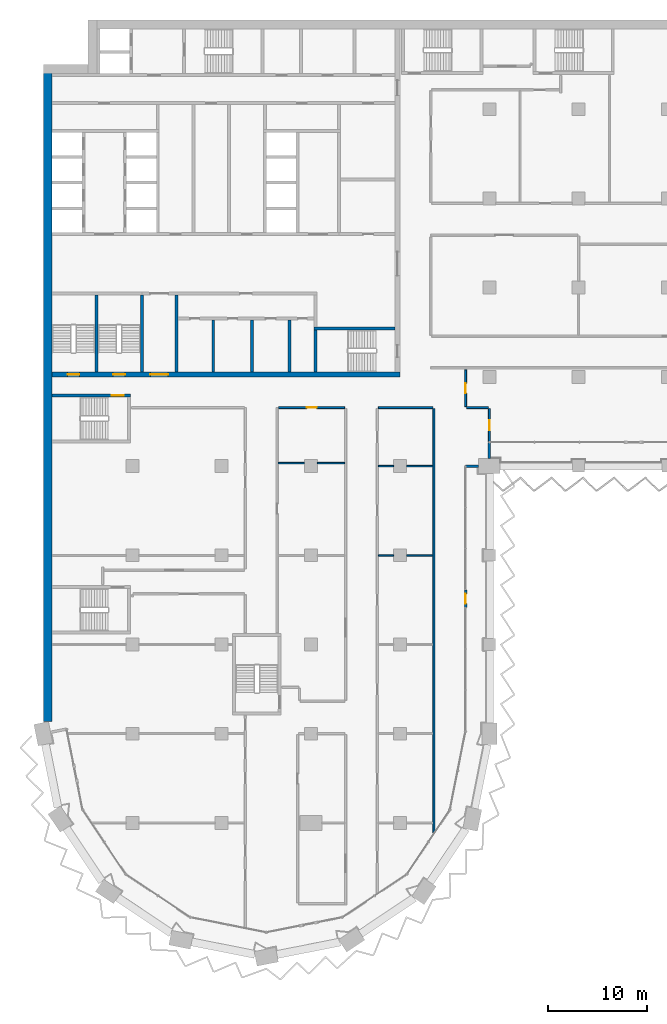
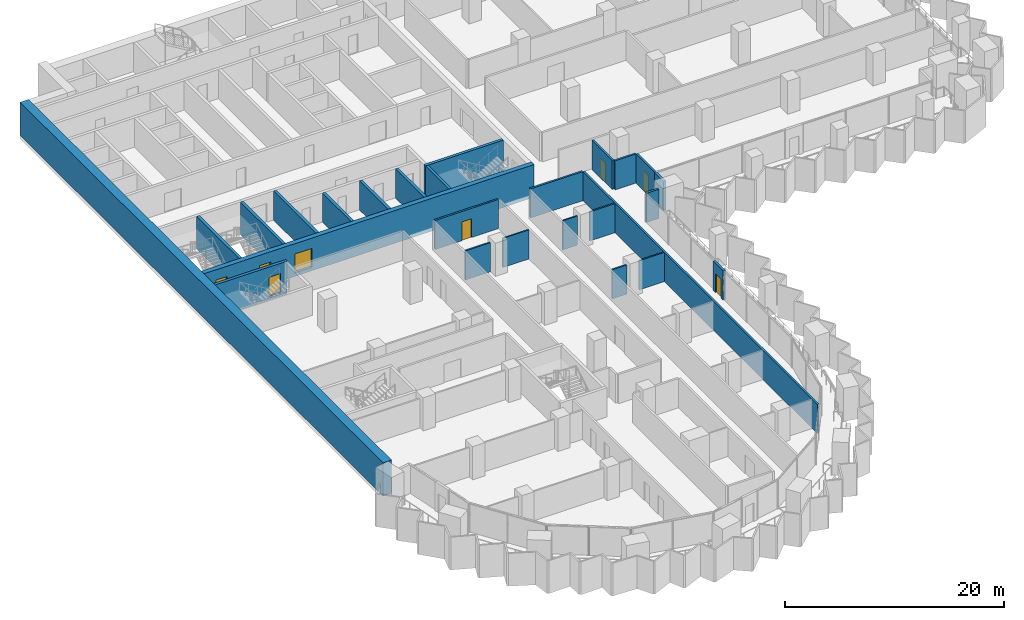
# One storey, part 11 of 23: 26 walls, 8 doors, 8 openings.
"""IFC4 building model written with IfcOpenShell, lengths in metres."""

from ifc_helpers import new_model, si_unit, direction, frame, frame_2d, origin, place, context, subcontext, project, spatial, rectangle, extrude, material, layer, layer_set, type_object, element, fill, save


model = new_model("IFC4")

# Units and contexts
model_context = context("Model", 3, precision=1e-05, world=origin(), true_north=direction((0.0, 1.0)))
body_context = subcontext(model_context, "Body", "Model", "MODEL_VIEW")
ifc_project = project(units=[si_unit("LENGTHUNIT", "METRE"), si_unit("AREAUNIT", "SQUARE_METRE"), si_unit("VOLUMEUNIT", "CUBIC_METRE"), si_unit("PLANEANGLEUNIT", "RADIAN"), si_unit("MASSUNIT", "GRAM", prefix="KILO")], contexts=[model_context])

# Site, building, storey
site_placement = place(None, origin())
site = spatial("IfcSite", under=ifc_project, at=site_placement, CompositionType="ELEMENT")
building_placement = place(site_placement, origin())
building = spatial("IfcBuilding", under=site, at=building_placement, Name="Hunhe Ridgeline Campus", CompositionType="ELEMENT")
storey_placement = place(building_placement, frame((0.0, 0.0, 125.5)))
storey = spatial("IfcBuildingStorey", under=building, at=storey_placement, Name="L31", CompositionType="ELEMENT", Elevation=125.5)

# Walls
ifc_material_1 = material(Name="Masonry concrete blockwork", Category="masonry")
ifc_layer_1 = layer(ifc_material_1, 0.300048828125)
ifc_layer_set_1 = layer_set([ifc_layer_1], Name="Core room partition 300 concrete block")
wall_type_1 = type_object("IfcWallType", Name="Core room partition 300 concrete block", PredefinedType="PARTITIONING", material=ifc_layer_set_1)
wall_1_placement = place(storey_placement, frame((13.449951171875, 63.5, 0.0), z_axis=(0.0, 0.0, 1.0), x_axis=(0.0, 1.0, 0.0)))
element("IfcWall", 1, at=wall_1_placement, inside=storey, type_object=wall_type_1, Name="L31 core partition 42", PredefinedType="PARTITIONING", context=body_context, shape_type="SweptSolid", body=[
    extrude(rectangle(XDim=7.75, YDim=0.300048828125, at=frame_2d((3.875, 0.0))), origin(), (0.0, 0.0, 1.0), 3.25),
])
for number, where, z_axis, x_axis, name in (
    (2, (17.14990234375, 63.5, 0.0), (0.0, 0.0, 1.0), (0.0, 1.0, 0.0), "L31 core partition 45"),
    (3, (21.050048828125, 63.5, 0.0), (0.0, 0.0, 1.0), (0.0, 1.0, 0.0), "L31 core partition 48"),
    (4, (24.85009765625, 63.5, 0.0), (0.0, 0.0, 1.0), (0.0, 1.0, 0.0), "L31 core partition 53"),
):
    element("IfcWall", number, at=place(storey_placement, frame(where, z_axis=z_axis, x_axis=x_axis)), inside=storey, type_object=wall_type_1, Name=name, PredefinedType="PARTITIONING", context=body_context, shape_type="SweptSolid", body=[
        extrude(rectangle(XDim=5.25, YDim=0.300048828125, at=frame_2d((2.625, 0.0))), origin(), (0.0, 0.0, 1.0), 3.25),
    ])

# Wall, openings, doors
ifc_material_2 = material(Name="Concrete C80", Category="concrete")
ifc_layer_2 = layer(ifc_material_2, 0.5)
ifc_layer_set_2 = layer_set([ifc_layer_2], Name="Core wall 500 reinforced concrete C80")
wall_type_2 = type_object("IfcWallType", Name="Core wall 500 reinforced concrete C80", PredefinedType="SOLIDWALL", material=ifc_layer_set_2)
wall_2_placement = place(storey_placement, frame((0.89990234375, 63.25, -0.39990234375), z_axis=(0.0, 0.0, 1.0), x_axis=(1.0, 0.0, 0.0)))
wall_2 = element("IfcWall", 5, at=wall_2_placement, inside=storey, type_object=wall_type_2, Name="L31 core wall 7", PredefinedType="SOLIDWALL", context=body_context, shape_type="SweptSolid", body=[
    extrude(rectangle(XDim=35.10009765625, YDim=0.5, at=frame_2d((17.550048828125, 0.0))), origin(), (0.0, 0.0, 1.0), 3.64990234375),
])
opening_1_placement = place(wall_2_placement, frame((9.89990234375, 0.0, 0.39990234375)))
opening_1 = element("IfcOpeningElement", 6, at=opening_1_placement, cuts=wall_2, Name="Opening CD6", PredefinedType="OPENING", context=body_context, shape_type="SweptSolid", body=[
    extrude(rectangle(XDim=1.800048828125, YDim=2.10009765625, at=frame_2d((0.89990234375, 1.050048828125))), frame((0.0, 0.25, 0.0), z_axis=(0.0, -1.0, 0.0), x_axis=(1.0, 0.0, 0.0)), (0.0, 0.0, 1.0), 0.5),
])
opening_2_placement = place(wall_2_placement, frame((1.550048828125, 0.0, 0.39990234375)))
opening_2 = element("IfcOpeningElement", 7, at=opening_2_placement, cuts=wall_2, Name="Opening CD13", PredefinedType="OPENING", context=body_context, shape_type="SweptSolid", body=[
    extrude(rectangle(XDim=1.199951171875, YDim=2.10009765625, at=frame_2d((0.60009765625, 1.050048828125))), frame((0.0, 0.25, 0.0), z_axis=(0.0, -1.0, 0.0), x_axis=(1.0, 0.0, 0.0)), (0.0, 0.0, 1.0), 0.5),
])
opening_3_placement = place(wall_2_placement, frame((6.14990234375, 0.0, 0.39990234375)))
opening_3 = element("IfcOpeningElement", 8, at=opening_3_placement, cuts=wall_2, Name="Opening CD14", PredefinedType="OPENING", context=body_context, shape_type="SweptSolid", body=[
    extrude(rectangle(XDim=1.199951171875, YDim=2.10009765625, at=frame_2d((0.60009765625, 1.050048828125))), frame((0.0, 0.25, 0.0), z_axis=(0.0, -1.0, 0.0), x_axis=(1.0, 0.0, 0.0)), (0.0, 0.0, 1.0), 0.5),
])
ifc_material_3 = material(Name="Anodised aluminium and glass", Category="aluminium")
door_type_1 = type_object("IfcDoorType", Name="Glazed double door 1800x2100", OperationType="DOUBLE_DOOR_SINGLE_SWING", PredefinedType="DOOR", material=ifc_material_3)
door_1_placement = place(opening_1_placement, frame((1.800048828125, 0.0, 0.0), z_axis=(0.0, 0.0, 1.0), x_axis=(-1.0, 0.0, 0.0)))
door_1 = element("IfcDoor", 9, at=door_1_placement, inside=storey, type_object=door_type_1, Name="L31 door VEST-FLOOR", OperationType="DOUBLE_DOOR_SINGLE_SWING", OverallHeight=2.10009765625, OverallWidth=1.800048828125, PredefinedType="DOOR", context=body_context, shape_type="SweptSolid", body=[
    extrude(rectangle(XDim=1.800048828125, YDim=2.10009765625, at=frame_2d((0.89990234375, 1.050048828125))), frame((0.0, 0.02490234375, 0.0), z_axis=(0.0, -1.0, 0.0), x_axis=(1.0, 0.0, 0.0)), (0.0, 0.0, 1.0), 0.050048828125),
])
fill(opening_1, door_1)
ifc_material_4 = material(Name="Hollow metal fire door leaf")
door_type_2 = type_object("IfcDoorType", Name="Stair door 1200x2100 FD60", OperationType="SINGLE_SWING_LEFT", PredefinedType="DOOR", material=ifc_material_4)
door_2_placement = place(opening_2_placement, frame((1.199951171875, 0.0, 0.0), z_axis=(0.0, 0.0, 1.0), x_axis=(-1.0, 0.0, 0.0)))
door_2 = element("IfcDoor", 10, at=door_2_placement, inside=storey, type_object=door_type_2, Name="L31 door S3", OperationType="SINGLE_SWING_RIGHT", OverallHeight=2.10009765625, OverallWidth=1.199951171875, PredefinedType="DOOR", context=body_context, shape_type="SweptSolid", body=[
    extrude(rectangle(XDim=1.199951171875, YDim=2.10009765625, at=frame_2d((0.60009765625, 1.050048828125))), frame((0.0, 0.02490234375, 0.0), z_axis=(0.0, -1.0, 0.0), x_axis=(1.0, 0.0, 0.0)), (0.0, 0.0, 1.0), 0.050048828125),
])
fill(opening_2, door_2)
door_3_placement = place(opening_3_placement, frame((1.199951171875, 0.0, 0.0), z_axis=(0.0, 0.0, 1.0), x_axis=(-1.0, 0.0, 0.0)))
door_3 = element("IfcDoor", 11, at=door_3_placement, inside=storey, type_object=door_type_2, Name="L31 door S4", OperationType="SINGLE_SWING_LEFT", OverallHeight=2.10009765625, OverallWidth=1.199951171875, PredefinedType="DOOR", context=body_context, shape_type="SweptSolid", body=[
    extrude(rectangle(XDim=1.199951171875, YDim=2.10009765625, at=frame_2d((0.60009765625, 1.050048828125))), frame((0.0, 0.02490234375, 0.0), z_axis=(0.0, -1.0, 0.0), x_axis=(1.0, 0.0, 0.0)), (0.0, 0.0, 1.0), 0.050048828125),
])
fill(opening_3, door_3)

# Walls
ifc_material_5 = material(Name="Concrete C30", Category="concrete")
ifc_layer_3 = layer(ifc_material_5, 0.25)
ifc_layer_set_3 = layer_set([ifc_layer_3], Name="Corner return wall 250 Concrete C30")
wall_type_3 = type_object("IfcWallType", Name="Corner return wall 250 Concrete C30", PredefinedType="SOLIDWALL", material=ifc_layer_set_3)
wall_3_placement = place(storey_placement, frame((42.599365234375, 54.000732421875, 0.0), z_axis=(0.0, 0.0, 1.0), x_axis=(0.99999998238, 0.000187722918, 0.0)))
element("IfcWall", 12, at=wall_3_placement, inside=storey, type_object=wall_type_3, Name="Corner return wall 2", PredefinedType="SOLIDWALL", context=body_context, shape_type="SweptSolid", body=[
    extrude(rectangle(XDim=1.300537109375, YDim=0.25, at=frame_2d((0.650390625, 0.0))), origin(), (0.0, 0.0, 1.0), 3.25),
])
wall_4_placement = place(storey_placement, frame((44.999267578125, 54.75, 0.0), z_axis=(0.0, 0.0, 1.0), x_axis=(0.000443655679, 0.999999901585, 0.0)))
element("IfcWall", 13, at=wall_4_placement, inside=storey, type_object=wall_type_3, Name="Corner return wall 3", PredefinedType="SOLIDWALL", context=body_context, shape_type="SweptSolid", body=[
    extrude(rectangle(XDim=1.65087890625, YDim=0.25, at=frame_2d((0.825439453125, 0.0))), origin(), (0.0, 0.0, 1.0), 3.25),
])

# Wall, opening, door
ifc_material_6 = material(Name="Gypsum board partition")
ifc_layer_4 = layer(ifc_material_6, 0.199951171875)
ifc_layer_set_4 = layer_set([ifc_layer_4], Name="Corridor partition 200 gypsum board on steel studs")
wall_type_4 = type_object("IfcWallType", Name="Corridor partition 200 gypsum board on steel studs", PredefinedType="PARTITIONING", material=ifc_layer_set_4)
wall_5_placement = place(storey_placement, frame((30.39990234375, 59.89990234375, 0.0), z_axis=(0.0, 0.0, 1.0), x_axis=(-1.0, 0.0, 0.0)))
wall_5 = element("IfcWall", 14, at=wall_5_placement, inside=storey, type_object=wall_type_4, Name="F-L31-wall-036", PredefinedType="PARTITIONING", context=body_context, shape_type="SweptSolid", body=[
    extrude(rectangle(XDim=6.661865234375, YDim=0.199951171875, at=frame_2d((3.3310546875, 0.0))), origin(), (0.0, 0.0, 1.0), 3.25),
])
opening_4_placement = place(wall_5_placement, frame((2.8310546875, 0.0, 0.0)))
opening_4 = element("IfcOpeningElement", 15, at=opening_4_placement, cuts=wall_5, Name="Opening RD1-021", PredefinedType="OPENING", context=body_context, shape_type="SweptSolid", body=[
    extrude(rectangle(XDim=1.0, YDim=2.10009765625, at=frame_2d((0.5, 1.050048828125))), frame((0.0, 0.10009765625, 0.0), z_axis=(0.0, -1.0, 0.0), x_axis=(1.0, 0.0, 0.0)), (0.0, 0.0, 1.0), 0.199951171875),
])
ifc_material_7 = material(Name="Timber door leaf", Category="wood")
door_type_3 = type_object("IfcDoorType", Name="Single fire door 1000x2100 timber FD60", OperationType="NOTDEFINED", PredefinedType="DOOR", material=ifc_material_7)
door_4_placement = place(opening_4_placement, origin())
door_4 = element("IfcDoor", 16, at=door_4_placement, inside=storey, type_object=door_type_3, Name="F-L31-door-021", OperationType="SINGLE_SWING_RIGHT", OverallHeight=2.10009765625, OverallWidth=1.0, PredefinedType="DOOR", context=body_context, shape_type="SweptSolid", body=[
    extrude(rectangle(XDim=1.0, YDim=2.10009765625, at=frame_2d((0.5, 1.050048828125))), frame((0.0, 0.02490234375, 0.0), z_axis=(0.0, -1.0, 0.0), x_axis=(1.0, 0.0, 0.0)), (0.0, 0.0, 1.0), 0.050048828125),
])
fill(opening_4, door_4)

# Walls
wall_6_placement = place(storey_placement, frame((39.300048828125, 59.89990234375, 0.0), z_axis=(0.0, 0.0, 1.0), x_axis=(-1.0, 0.0, 0.0)))
element("IfcWall", 17, at=wall_6_placement, inside=storey, type_object=wall_type_4, Name="F-L31-wall-037", PredefinedType="PARTITIONING", context=body_context, shape_type="SweptSolid", body=[
    extrude(rectangle(XDim=5.5, YDim=0.199951171875, at=frame_2d((2.75, 0.0))), origin(), (0.0, 0.0, 1.0), 3.25),
])
wall_7_placement = place(storey_placement, frame((42.699951171875, 59.89990234375, 0.0), z_axis=(0.0, 0.0, 1.0), x_axis=(1.0, 0.0, 0.0)))
element("IfcWall", 18, at=wall_7_placement, inside=storey, type_object=wall_type_4, Name="F-L31-wall-038", PredefinedType="PARTITIONING", context=body_context, shape_type="SweptSolid", body=[
    extrude(rectangle(XDim=2.199951171875, YDim=0.199951171875, at=frame_2d((1.10009765625, 0.0))), origin(), (0.0, 0.0, 1.0), 3.25),
])
wall_8_placement = place(storey_placement, frame((39.39990234375, 16.99072265625, 0.0), z_axis=(0.0, 0.0, 1.0), x_axis=(0.0, 1.0, 0.0)))
element("IfcWall", 19, at=wall_8_placement, inside=storey, type_object=wall_type_4, Name="F-L31-wall-066", PredefinedType="PARTITIONING", context=body_context, shape_type="SweptSolid", body=[
    extrude(rectangle(XDim=42.809326171875, YDim=0.199951171875, at=frame_2d((21.40478515625, 0.0))), origin(), (0.0, 0.0, 1.0), 3.25),
])

# Wall, opening, door
wall_9_placement = place(storey_placement, frame((42.60009765625, 63.699951171875, 0.0), z_axis=(0.0, 0.0, 1.0), x_axis=(0.0, -1.0, 0.0)))
wall_9 = element("IfcWall", 20, at=wall_9_placement, inside=storey, type_object=wall_type_4, Name="F-L31-wall-067", PredefinedType="PARTITIONING", context=body_context, shape_type="SweptSolid", body=[
    extrude(rectangle(XDim=3.699951171875, YDim=0.199951171875, at=frame_2d((1.85009765625, 0.0))), origin(), (0.0, 0.0, 1.0), 3.25),
])
opening_5_placement = place(wall_9_placement, frame((1.35009765625, 0.0, 0.0)))
opening_5 = element("IfcOpeningElement", 21, at=opening_5_placement, cuts=wall_9, Name="Opening RD1-022", PredefinedType="OPENING", context=body_context, shape_type="SweptSolid", body=[
    extrude(rectangle(XDim=1.0, YDim=2.10009765625, at=frame_2d((0.5, 1.050048828125))), frame((0.0, 0.10009765625, 0.0), z_axis=(0.0, -1.0, 0.0), x_axis=(1.0, 0.0, 0.0)), (0.0, 0.0, 1.0), 0.199951171875),
])
door_5_placement = place(opening_5_placement, frame((1.0, 0.0, 0.0), z_axis=(0.0, 0.0, 1.0), x_axis=(-1.0, 0.0, 0.0)))
door_5 = element("IfcDoor", 22, at=door_5_placement, inside=storey, type_object=door_type_3, Name="F-L31-door-022", OperationType="SINGLE_SWING_RIGHT", OverallHeight=2.10009765625, OverallWidth=1.0, PredefinedType="DOOR", context=body_context, shape_type="SweptSolid", body=[
    extrude(rectangle(XDim=1.0, YDim=2.10009765625, at=frame_2d((0.5, 1.050048828125))), frame((0.0, 0.02490234375, 0.0), z_axis=(0.0, -1.0, 0.0), x_axis=(1.0, 0.0, 0.0)), (0.0, 0.0, 1.0), 0.050048828125),
])
fill(opening_5, door_5)

wall_10_placement = place(storey_placement, frame((45.0, 59.800048828125, 0.0), z_axis=(0.0, 0.0, 1.0), x_axis=(0.0, -1.0, 0.0)))
wall_10 = element("IfcWall", 23, at=wall_10_placement, inside=storey, type_object=wall_type_4, Name="F-L31-wall-068", PredefinedType="PARTITIONING", context=body_context, shape_type="SweptSolid", body=[
    extrude(rectangle(XDim=3.344970703125, YDim=0.199951171875, at=frame_2d((1.67236328125, 0.0))), origin(), (0.0, 0.0, 1.0), 3.25),
])
opening_6_placement = place(wall_10_placement, frame((1.172607421875, 0.0, 0.0)))
opening_6 = element("IfcOpeningElement", 24, at=opening_6_placement, cuts=wall_10, Name="Opening RD1-020", PredefinedType="OPENING", context=body_context, shape_type="SweptSolid", body=[
    extrude(rectangle(XDim=1.0, YDim=2.10009765625, at=frame_2d((0.5, 1.050048828125))), frame((0.0, 0.10009765625, 0.0), z_axis=(0.0, -1.0, 0.0), x_axis=(1.0, 0.0, 0.0)), (0.0, 0.0, 1.0), 0.199951171875),
])
door_6_placement = place(opening_6_placement, frame((1.0, 0.0, 0.0), z_axis=(0.0, 0.0, 1.0), x_axis=(-1.0, 0.0, 0.0)))
door_6 = element("IfcDoor", 25, at=door_6_placement, inside=storey, type_object=door_type_3, Name="F-L31-door-020", OperationType="SINGLE_SWING_RIGHT", OverallHeight=2.10009765625, OverallWidth=1.0, PredefinedType="DOOR", context=body_context, shape_type="SweptSolid", body=[
    extrude(rectangle(XDim=1.0, YDim=2.10009765625, at=frame_2d((0.5, 1.050048828125))), frame((0.0, 0.02490234375, 0.0), z_axis=(0.0, -1.0, 0.0), x_axis=(1.0, 0.0, 0.0)), (0.0, 0.0, 1.0), 0.050048828125),
])
fill(opening_6, door_6)

ifc_layer_5 = layer(ifc_material_5, 0.25)
ifc_layer_set_5 = layer_set([ifc_layer_5], Name="Loggia door pier wall 250 Concrete C30")
wall_type_5 = type_object("IfcWallType", Name="Loggia door pier wall 250 Concrete C30", PredefinedType="SOLIDWALL", material=ifc_layer_set_5)
wall_11_placement = place(storey_placement, frame((42.59912109375, 39.718505859375, 0.0), z_axis=(0.0, 0.0, 1.0), x_axis=(0.0, 1.0, 0.0)))
wall_11 = element("IfcWall", 26, at=wall_11_placement, inside=storey, type_object=wall_type_5, Name="Loggia door pier 3", PredefinedType="SOLIDWALL", context=body_context, shape_type="SweptSolid", body=[
    extrude(rectangle(XDim=1.800048828125, YDim=0.25, at=frame_2d((0.89990234375, 0.0))), origin(), (0.0, 0.0, 1.0), 3.25),
])
opening_7_placement = place(wall_11_placement, frame((0.39990234375, 0.0, 0.0)))
opening_7 = element("IfcOpeningElement", 27, at=opening_7_placement, cuts=wall_11, Name="Opening BD205", PredefinedType="OPENING", context=body_context, shape_type="SweptSolid", body=[
    extrude(rectangle(XDim=1.0, YDim=2.10009765625, at=frame_2d((0.5, 1.050048828125))), frame((0.0, 0.125, 0.0), z_axis=(0.0, -1.0, 0.0), x_axis=(1.0, 0.0, 0.0)), (0.0, 0.0, 1.0), 0.25),
])
ifc_material_8 = material(Name="Aluminium 6063", Category="aluminium")
door_type_4 = type_object("IfcDoorType", Name="Loggia glazed door 1000x2100", OperationType="NOTDEFINED", PredefinedType="DOOR", material=ifc_material_8)
door_7_placement = place(opening_7_placement, frame((1.0, 0.0, 0.0), z_axis=(0.0, 0.0, 1.0), x_axis=(-1.0, 0.0, 0.0)))
door_7 = element("IfcDoor", 28, at=door_7_placement, inside=storey, type_object=door_type_4, Name="Loggia door BD205", OperationType="SINGLE_SWING_RIGHT", OverallHeight=2.10009765625, OverallWidth=1.0, PredefinedType="DOOR", context=body_context, shape_type="SweptSolid", body=[
    extrude(rectangle(XDim=1.0, YDim=2.10009765625, at=frame_2d((0.5, 1.050048828125))), frame((0.0, 0.02490234375, 0.0), z_axis=(0.0, -1.0, 0.0), x_axis=(1.0, 0.0, 0.0)), (0.0, 0.0, 1.0), 0.050048828125),
])
fill(opening_7, door_7)

# Walls
ifc_layer_6 = layer(ifc_material_6, 0.14990234375)
ifc_layer_set_6 = layer_set([ifc_layer_6], Name="Room partition 150 gypsum board on steel studs")
wall_type_6 = type_object("IfcWallType", Name="Room partition 150 gypsum board on steel studs", PredefinedType="PARTITIONING", material=ifc_layer_set_6)
wall_12_placement = place(storey_placement, frame((33.800048828125, 45.0, 0.0), z_axis=(0.0, 0.0, 1.0), x_axis=(1.0, 0.0, 0.0)))
element("IfcWall", 29, at=wall_12_placement, inside=storey, type_object=wall_type_6, Name="F-L31-wall-029", PredefinedType="PARTITIONING", context=body_context, shape_type="SweptSolid", body=[
    extrude(rectangle(XDim=1.550048828125, YDim=0.14990234375, at=frame_2d((0.77490234375, 0.0))), origin(), (0.0, 0.0, 1.0), 3.25),
])
wall_13_placement = place(storey_placement, frame((36.64990234375, 45.0, 0.0), z_axis=(0.0, 0.0, 1.0), x_axis=(1.0, 0.0, 0.0)))
element("IfcWall", 30, at=wall_13_placement, inside=storey, type_object=wall_type_6, Name="F-L31-wall-030", PredefinedType="PARTITIONING", context=body_context, shape_type="SweptSolid", body=[
    extrude(rectangle(XDim=2.650146484375, YDim=0.14990234375, at=frame_2d((1.3251953125, 0.0))), origin(), (0.0, 0.0, 1.0), 3.25),
])
wall_14_placement = place(storey_placement, frame((33.800048828125, 54.0, 0.0), z_axis=(0.0, 0.0, 1.0), x_axis=(1.0, 0.0, 0.0)))
element("IfcWall", 31, at=wall_14_placement, inside=storey, type_object=wall_type_6, Name="F-L31-wall-031", PredefinedType="PARTITIONING", context=body_context, shape_type="SweptSolid", body=[
    extrude(rectangle(XDim=1.550048828125, YDim=0.14990234375, at=frame_2d((0.77490234375, 0.0))), origin(), (0.0, 0.0, 1.0), 3.25),
])
for number, where, z_axis, x_axis, name in (
    (32, (36.64990234375, 54.0, 0.0), (0.0, 0.0, 1.0), (1.0, 0.0, 0.0), "F-L31-wall-032"),
    (33, (23.699951171875, 54.300048828125, 0.0), (0.0, 0.0, 1.0), (1.0, 0.0, 0.0), "F-L31-wall-033"),
):
    element("IfcWall", number, at=place(storey_placement, frame(where, z_axis=z_axis, x_axis=x_axis)), inside=storey, type_object=wall_type_6, Name=name, PredefinedType="PARTITIONING", context=body_context, shape_type="SweptSolid", body=[
        extrude(rectangle(XDim=2.650146484375, YDim=0.14990234375, at=frame_2d((1.3251953125, 0.0))), origin(), (0.0, 0.0, 1.0), 3.25),
    ])
wall_15_placement = place(storey_placement, frame((27.64990234375, 54.300048828125, 0.0), z_axis=(0.0, 0.0, 1.0), x_axis=(1.0, 0.0, 0.0)))
element("IfcWall", 34, at=wall_15_placement, inside=storey, type_object=wall_type_6, Name="F-L31-wall-034", PredefinedType="PARTITIONING", context=body_context, shape_type="SweptSolid", body=[
    extrude(rectangle(XDim=2.75, YDim=0.14990234375, at=frame_2d((1.375, 0.0))), origin(), (0.0, 0.0, 1.0), 3.25),
])
ifc_material_9 = material(Name="Concrete C70", Category="concrete")
ifc_layer_7 = layer(ifc_material_9, 0.89990234375)
ifc_layer_set_7 = layer_set([ifc_layer_7], Name="Spine wall 900 Concrete C70")
wall_type_7 = type_object("IfcWallType", Name="Spine wall 900 Concrete C70", PredefinedType="SHEAR", material=ifc_layer_set_7)
wall_16_placement = place(storey_placement, frame((0.449951171875, 94.5, 0.0), z_axis=(0.0, 0.0, 1.0), x_axis=(0.0, -1.0, 0.0)))
element("IfcWall", 35, at=wall_16_placement, inside=storey, type_object=wall_type_7, Name="Spine wall SW2-1 L31", PredefinedType="SHEAR", context=body_context, shape_type="SweptSolid", body=[
    extrude(rectangle(XDim=66.288818359375, YDim=0.89990234375, at=frame_2d((33.14453125, 0.0))), origin(), (0.0, 0.0, 1.0), 3.699951171875),
])

# Wall, opening, door
ifc_layer_8 = layer(ifc_material_2, 0.300048828125)
ifc_layer_set_8 = layer_set([ifc_layer_8], Name="Stair wall 300 reinforced concrete C80")
wall_type_8 = type_object("IfcWallType", Name="Stair wall 300 reinforced concrete C80", PredefinedType="SOLIDWALL", material=ifc_layer_set_8)
wall_17_placement = place(storey_placement, frame((0.89990234375, 61.10009765625, -0.39990234375), z_axis=(0.0, 0.0, 1.0), x_axis=(1.0, 0.0, 0.0)))
wall_17 = element("IfcWall", 36, at=wall_17_placement, inside=storey, type_object=wall_type_8, Name="L31 core wall 6", PredefinedType="SOLIDWALL", context=body_context, shape_type="SweptSolid", body=[
    extrude(rectangle(XDim=7.900146484375, YDim=0.300048828125, at=frame_2d((3.9501953125, 0.0))), origin(), (0.0, 0.0, 1.0), 3.64990234375),
])
opening_8_placement = place(wall_17_placement, frame((6.0, 0.0, 0.39990234375)))
opening_8 = element("IfcOpeningElement", 37, at=opening_8_placement, cuts=wall_17, Name="Opening CD22", PredefinedType="OPENING", context=body_context, shape_type="SweptSolid", body=[
    extrude(rectangle(XDim=1.199951171875, YDim=2.10009765625, at=frame_2d((0.60009765625, 1.050048828125))), frame((0.0, 0.14990234375, 0.0), z_axis=(0.0, -1.0, 0.0), x_axis=(1.0, 0.0, 0.0)), (0.0, 0.0, 1.0), 0.300048828125),
])
door_8_placement = place(opening_8_placement, origin())
door_8 = element("IfcDoor", 38, at=door_8_placement, inside=storey, type_object=door_type_2, Name="L31 door W2", OperationType="SINGLE_SWING_LEFT", OverallHeight=2.10009765625, OverallWidth=1.199951171875, PredefinedType="DOOR", context=body_context, shape_type="SweptSolid", body=[
    extrude(rectangle(XDim=1.199951171875, YDim=2.10009765625, at=frame_2d((0.60009765625, 1.050048828125))), frame((0.0, 0.02490234375, 0.0), z_axis=(0.0, -1.0, 0.0), x_axis=(1.0, 0.0, 0.0)), (0.0, 0.0, 1.0), 0.050048828125),
])
fill(opening_8, door_8)

# Walls
wall_18_placement = place(storey_placement, frame((27.300048828125, 67.89990234375, -0.39990234375), z_axis=(0.0, 0.0, 1.0), x_axis=(1.0, 0.0, 0.0)))
element("IfcWall", 39, at=wall_18_placement, inside=storey, type_object=wall_type_8, Name="L31 core wall 8", PredefinedType="SOLIDWALL", context=body_context, shape_type="SweptSolid", body=[
    extrude(rectangle(XDim=8.199951171875, YDim=0.300048828125, at=frame_2d((4.10009765625, 0.0))), origin(), (0.0, 0.0, 1.0), 3.64990234375),
])
for number, where, z_axis, x_axis, name in (
    (40, (5.35009765625, 63.5, -0.39990234375), (0.0, 0.0, 1.0), (0.0, 1.0, 0.0), "L31 core wall 33"),
    (41, (9.949951171875, 63.5, -0.39990234375), (0.0, 0.0, 1.0), (0.0, 1.0, 0.0), "L31 core wall 39"),
):
    element("IfcWall", number, at=place(storey_placement, frame(where, z_axis=z_axis, x_axis=x_axis)), inside=storey, type_object=wall_type_8, Name=name, PredefinedType="SOLIDWALL", context=body_context, shape_type="SweptSolid", body=[
        extrude(rectangle(XDim=7.75, YDim=0.300048828125, at=frame_2d((3.875, 0.0))), origin(), (0.0, 0.0, 1.0), 3.64990234375),
    ])
wall_19_placement = place(storey_placement, frame((27.449951171875, 63.5, -0.39990234375), z_axis=(0.0, 0.0, 1.0), x_axis=(0.0, 1.0, 0.0)))
element("IfcWall", 42, at=wall_19_placement, inside=storey, type_object=wall_type_8, Name="L31 core wall 56", PredefinedType="SOLIDWALL", context=body_context, shape_type="SweptSolid", body=[
    extrude(rectangle(XDim=4.25, YDim=0.300048828125, at=frame_2d((2.125, 0.0))), origin(), (0.0, 0.0, 1.0), 3.64990234375),
])

save(model, "model.ifc")
